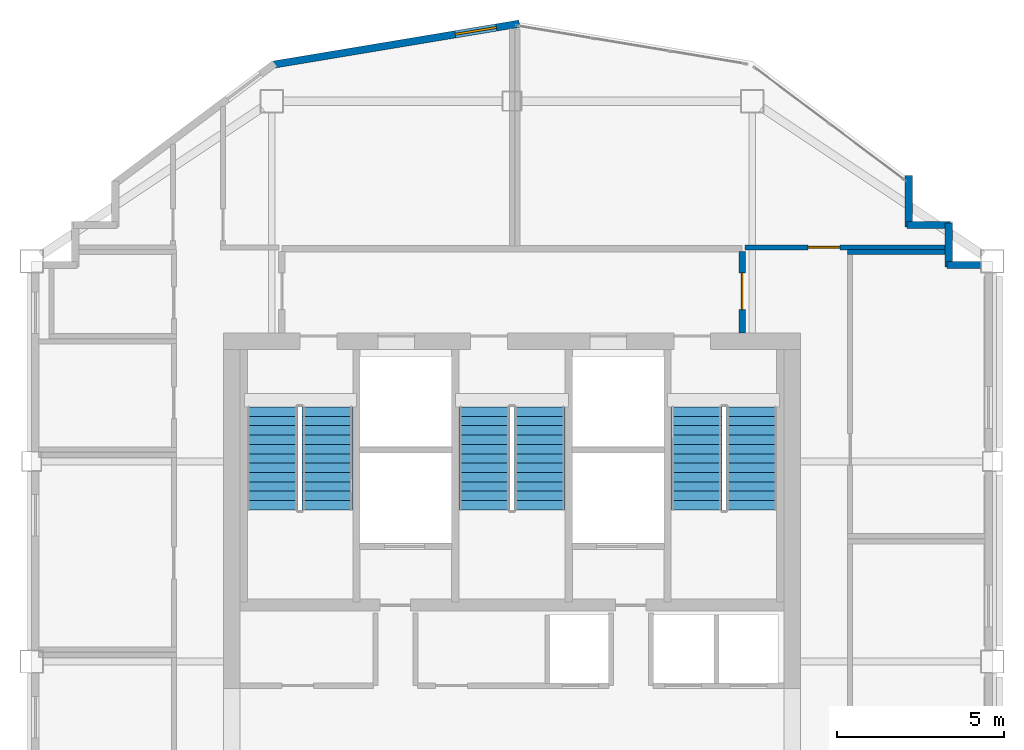
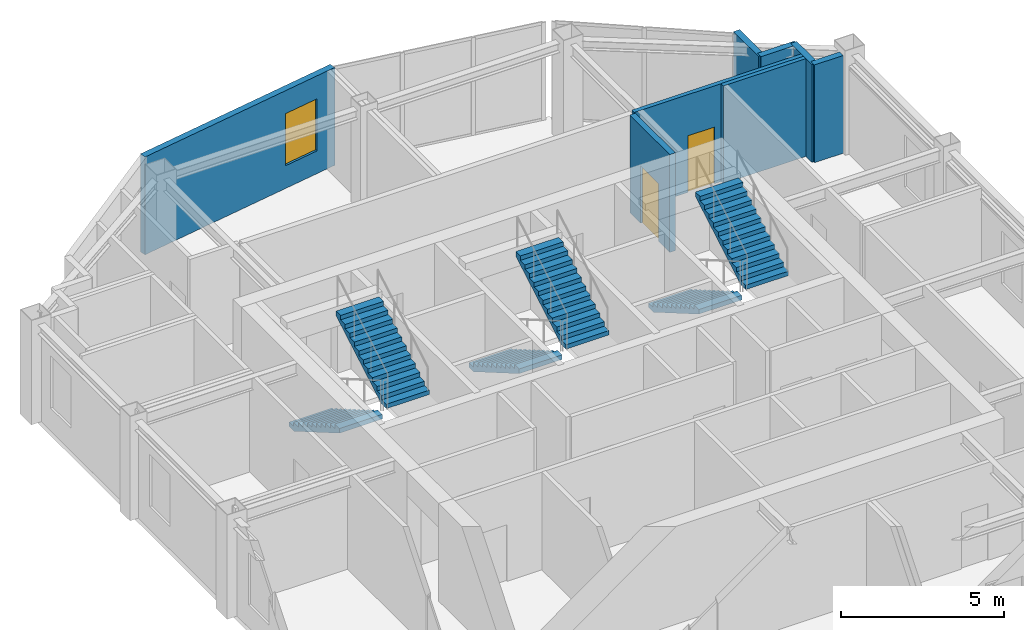
# One storey, part 7 of 8: 8 walls, 6 stair flights, 2 doors, 1 window, 3 openings, 3 elements without a shape of their own.
"""IFC4 building model written with IfcOpenShell, lengths in metres."""

import ifcopenshell
import ifcopenshell.guid

model = None  # the IFC model being written
_history = None  # IfcOwnerHistory: only IFC2X3 demands one
_inside = {}  # id of a spatial element -> (the spatial element, [elements in it])
_under = {}  # id of a project, library or spatial element -> (it, [spatial elements below it])
_declared = {}  # id of a project -> (the project, [libraries it declares])
_typed = {}  # id of a type object -> (the type object, [elements of that type])
_made_of = {}  # id of a material, layer set ... -> (it, [elements and type objects made of it])


def new_model(schema):
    """Start an empty IFC model of exactly this schema.

    Asked for "IFC4X3", IfcOpenShell would pick the latest addendum, in which some entities
    have other attributes; the version numbers below select the first issue.
    IFC2X3 requires an IfcOwnerHistory on every rooted entity: one is made here for all.
    """
    global model, _history
    if schema == "IFC4X3":
        model = ifcopenshell.file(schema_version=(4, 3, 0, 0))
    else:
        model = ifcopenshell.file(schema=schema)
    _inside.clear()
    _under.clear()
    _declared.clear()
    _typed.clear()
    _made_of.clear()
    _history = None
    if model.schema == "IFC2X3":
        org = make("IfcOrganization", Name="unknown")
        user = make(
            "IfcPersonAndOrganization",
            ThePerson=make("IfcPerson", FamilyName="unknown"),
            TheOrganization=org,
        )
        app = make(
            "IfcApplication",
            ApplicationDeveloper=org,
            Version="unknown",
            ApplicationFullName="unknown",
            ApplicationIdentifier="unknown",
        )
        _history = make(
            "IfcOwnerHistory",
            OwningUser=user,
            OwningApplication=app,
            ChangeAction="ADDED",
            CreationDate=0,
        )
    return model


def make(cls, **values):
    """One entity of the class cls with the attributes given. An attribute that is None is left unset."""
    return model.create_entity(
        cls, **{name: value for name, value in values.items() if value is not None}
    )


def rooted(cls, **values):
    """An entity with a GlobalId (a new one), such as an element, a storey or a relation."""
    return make(cls, GlobalId=ifcopenshell.guid.new(), OwnerHistory=_history, **values)


def si_unit(unit_type, name, prefix=None):
    """IfcSIUnit, for example si_unit("LENGTHUNIT", "METRE", prefix="MILLI")."""
    return make("IfcSIUnit", UnitType=unit_type, Prefix=prefix, Name=name)


def assignment(units):
    """IfcUnitAssignment: the units of a project."""
    return None if units is None else make("IfcUnitAssignment", Units=units)


def point(xyz):
    """IfcCartesianPoint."""
    return None if xyz is None else make("IfcCartesianPoint", Coordinates=xyz)


def direction(xyz):
    """IfcDirection."""
    return None if xyz is None else make("IfcDirection", DirectionRatios=xyz)


def frame(location, z_axis=None, x_axis=None):
    """IfcAxis2Placement3D, a coordinate frame: its origin and axes. An axis left out is left unset."""
    return make(
        "IfcAxis2Placement3D",
        Location=point(location),
        Axis=direction(z_axis),
        RefDirection=direction(x_axis),
    )


def frame_2d(location, x_axis=None):
    """IfcAxis2Placement2D, a coordinate frame in the plane: its origin and x axis."""
    return make(
        "IfcAxis2Placement2D", Location=point(location), RefDirection=direction(x_axis)
    )


def origin():
    """The frame at (0, 0, 0) with its axes left unset."""
    return frame((0.0, 0.0, 0.0))


def place(relative_to, where):
    """IfcLocalPlacement: puts the frame where relative to a parent placement (None: the world)."""
    return make(
        "IfcLocalPlacement", PlacementRelTo=relative_to, RelativePlacement=where
    )


def context(
    kind, dimensions, precision=None, world=None, true_north=None, identifier=None
):
    """IfcGeometricRepresentationContext, for example the 3D "Model" context."""
    return make(
        "IfcGeometricRepresentationContext",
        ContextIdentifier=identifier,
        ContextType=kind,
        CoordinateSpaceDimension=dimensions,
        Precision=precision,
        WorldCoordinateSystem=world,
        TrueNorth=true_north,
    )


def subcontext(parent, identifier, kind, view, scale=None):
    """IfcGeometricRepresentationSubContext, for example "Body" below "Model"."""
    return make(
        "IfcGeometricRepresentationSubContext",
        ContextIdentifier=identifier,
        ContextType=kind,
        ParentContext=parent,
        TargetScale=scale,
        TargetView=view,
    )


def project(units=None, contexts=None):
    """IfcProject with its units and contexts."""
    return rooted(
        "IfcProject",
        Name="project",
        RepresentationContexts=contexts,
        UnitsInContext=assignment(units),
    )


def spatial(cls, under=None, at=None, **own):
    """A site, building, storey or space (cls), placed at a placement, below another one or the project."""
    s = rooted(cls, ObjectPlacement=at, **own)
    if under is not None:
        _under.setdefault(under.id(), (under, []))[1].append(s)
    return s


def polyline(points):
    """IfcPolyline through the points."""
    return make("IfcPolyline", Points=[point(p) for p in points])


def profile(cls, at=None, kind="AREA", **sizes):
    """A parametric profile (cls). Its sizes go by their IFC names, for example OverallWidth=200.0."""
    return make(cls, ProfileType=kind, Position=at, **sizes)


def rectangle(**sizes):
    """IfcRectangleProfileDef."""
    return profile("IfcRectangleProfileDef", **sizes)


def outline(outer, holes=None, kind="AREA"):
    """IfcArbitraryClosedProfileDef: a profile drawn as a closed curve; with holes, ...WithVoids."""
    if holes is None:
        return make("IfcArbitraryClosedProfileDef", ProfileType=kind, OuterCurve=outer)
    return make(
        "IfcArbitraryProfileDefWithVoids",
        ProfileType=kind,
        OuterCurve=outer,
        InnerCurves=holes,
    )


def extrude(swept, where, along, depth):
    """IfcExtrudedAreaSolid: the profile swept, set in the frame where, extruded along a direction by depth."""
    return make(
        "IfcExtrudedAreaSolid",
        SweptArea=swept,
        Position=where,
        ExtrudedDirection=direction(along),
        Depth=depth,
    )


def shape(context_of_items, identifier, shape_type, items):
    """IfcShapeRepresentation: the items that make up one representation, for example the "Body"."""
    return make(
        "IfcShapeRepresentation",
        ContextOfItems=context_of_items,
        RepresentationIdentifier=identifier,
        RepresentationType=shape_type,
        Items=items,
    )


def material(Name=None, Category=None):
    """IfcMaterial."""
    return make("IfcMaterial", Name=Name, Category=Category)


def layer(
    of_material, thickness, ventilated=None, Name=None, Category=None, Priority=None
):
    """IfcMaterialLayer: one layer of a wall or slab, of a material (None: an air gap)."""
    return make(
        "IfcMaterialLayer",
        Material=of_material,
        LayerThickness=thickness,
        IsVentilated=ventilated,
        Name=Name,
        Category=Category,
        Priority=Priority,
    )


def layer_set(layers, Name=None):
    """IfcMaterialLayerSet."""
    return make("IfcMaterialLayerSet", MaterialLayers=layers, LayerSetName=Name)


def made_of(thing, what):
    """Note that an element or type object is made of a material, layer set ...; save() writes the relation."""
    if what is not None:
        _made_of.setdefault(what.id(), (what, []))[1].append(thing)
    return thing


def type_object(cls, material=None, **own):
    """A type object (cls), such as IfcWallType, which elements share."""
    return made_of(rooted(cls, **own), material)


def element(
    cls,
    number,
    at=None,
    inside=None,
    cuts=None,
    type_object=None,
    material=None,
    context=None,
    identifier="Body",
    shape_type=None,
    held_by="IfcProductDefinitionShape",
    body=None,
    shapes=None,
    **own,
):
    """One element of the class cls, such as IfcWall. Its Tag is "e" and its number.

    at: its placement. inside: the storey or other place that contains it. cuts: it is an
    opening in that element (IfcRelVoidsElement). A single representation is given by context,
    identifier, shape_type and body (its items); several are given by shapes. held_by: the class
    of the entity that holds the representations. save() writes the other relations.
    """
    e = rooted(cls, Tag="e%d" % number, ObjectPlacement=at, **own)
    if body is not None:
        shapes = [shape(context, identifier, shape_type, body)]
    if shapes is not None:
        e.Representation = make(held_by, Representations=shapes)
    if inside is not None:
        _inside.setdefault(inside.id(), (inside, []))[1].append(e)
    if cuts is not None:
        rooted(
            "IfcRelVoidsElement", RelatingBuildingElement=cuts, RelatedOpeningElement=e
        )
    if type_object is not None:
        _typed.setdefault(type_object.id(), (type_object, []))[1].append(e)
    return made_of(e, material)


def fill(opening, filler):
    """IfcRelFillsElement: the door or window that sits in an opening."""
    return rooted(
        "IfcRelFillsElement",
        RelatingOpeningElement=opening,
        RelatedBuildingElement=filler,
    )


def aggregate(whole, parts):
    """IfcRelAggregates: a whole, such as a stair, and the parts it consists of."""
    return rooted("IfcRelAggregates", RelatingObject=whole, RelatedObjects=parts)


def save(model, path):
    """Write the relations noted so far, then the file.

    IfcRelAggregates (storeys below a building ...), IfcRelContainedInSpatialStructure (elements
    in a storey), IfcRelDefinesByType, IfcRelAssociatesMaterial and IfcRelDeclares: one each for
    every whole, place, type object, material and project.
    """
    for whole, parts in _under.values():
        aggregate(whole, parts)
    for where, things in _inside.values():
        rooted(
            "IfcRelContainedInSpatialStructure",
            RelatedElements=things,
            RelatingStructure=where,
        )
    for kind, things in _typed.values():
        rooted("IfcRelDefinesByType", RelatedObjects=things, RelatingType=kind)
    for what, things in _made_of.values():
        rooted("IfcRelAssociatesMaterial", RelatedObjects=things, RelatingMaterial=what)
    for by, libraries in _declared.values():
        rooted("IfcRelDeclares", RelatingContext=by, RelatedDefinitions=libraries)
    model.write(path)


model = new_model("IFC4")

# Units and contexts
model_context = context("Model", 3, precision=1e-05, world=origin(), true_north=direction((0.0, 1.0)))
body_context = subcontext(model_context, "Body", "Model", "MODEL_VIEW")
ifc_project = project(units=[si_unit("LENGTHUNIT", "METRE"), si_unit("AREAUNIT", "SQUARE_METRE"), si_unit("VOLUMEUNIT", "CUBIC_METRE"), si_unit("PLANEANGLEUNIT", "RADIAN"), si_unit("MASSUNIT", "GRAM", prefix="KILO")], contexts=[model_context])

# Site, building, storey
site_placement = place(None, origin())
site = spatial("IfcSite", under=ifc_project, at=site_placement, CompositionType="ELEMENT")
building_placement = place(site_placement, origin())
building = spatial("IfcBuilding", under=site, at=building_placement, Name="Haolan Belvedere Tower", CompositionType="ELEMENT")
storey_placement = place(building_placement, frame((0.0, 0.0, 309.5)))
storey = spatial("IfcBuildingStorey", under=building, at=storey_placement, Name="L78", CompositionType="ELEMENT", Elevation=309.5)

# Walls
ifc_material_1 = material(Name="Precast concrete C40/50", Category="concrete")
ifc_layer_1 = layer(ifc_material_1, 0.219970703125, Name="Precast concrete C40/50")
ifc_layer_set_1 = layer_set([ifc_layer_1], Name="Precast concrete C40/50")
wall_type_1 = type_object("IfcWallType", Name="WL-EXT-220", PredefinedType="SOLIDWALL", material=ifc_layer_set_1)
wall_1_placement = place(storey_placement, frame((52.4580078125, 45.489990234375, 0.0), z_axis=(0.0, 0.0, 1.0), x_axis=(-1.0, 0.0, 0.0)))
element("IfcWall", 1, at=wall_1_placement, inside=storey, type_object=wall_type_1, Name="L78 pale-metal exterior spandrel wall 4.1", PredefinedType="SOLIDWALL", context=body_context, shape_type="SweptSolid", body=[
    extrude(rectangle(XDim=1.02294921875, YDim=0.219970703125, at=frame_2d((0.511474609375, 0.0))), origin(), (0.0, 0.0, 1.0), 3.659912109375),
])
wall_2_placement = place(storey_placement, frame((51.489990234375, 45.43505859375, 0.0), z_axis=(0.0, 0.0, 1.0), x_axis=(0.0, 1.0, 0.0)))
element("IfcWall", 2, at=wall_2_placement, inside=storey, type_object=wall_type_1, Name="L78 pale-metal exterior spandrel wall 5.1", PredefinedType="SOLIDWALL", context=body_context, shape_type="SweptSolid", body=[
    extrude(rectangle(XDim=1.31005859375, YDim=0.219970703125, at=frame_2d((0.655029296875, 0.0))), origin(), (0.0, 0.0, 1.0), 3.659912109375),
])
wall_3_placement = place(storey_placement, frame((51.544921875, 46.68994140625, 0.0), z_axis=(0.0, 0.0, 1.0), x_axis=(-1.0, 0.0, 0.0)))
element("IfcWall", 3, at=wall_3_placement, inside=storey, type_object=wall_type_1, Name="L78 pale-metal exterior spandrel wall 6.1", PredefinedType="SOLIDWALL", context=body_context, shape_type="SweptSolid", body=[
    extrude(rectangle(XDim=1.309814453125, YDim=0.219970703125, at=frame_2d((0.65478515625, 0.0))), origin(), (0.0, 0.0, 1.0), 3.659912109375),
])
wall_4_placement = place(storey_placement, frame((50.2900390625, 46.635009765625, 0.0), z_axis=(0.0, 0.0, 1.0), x_axis=(0.0, 1.0, 0.0)))
element("IfcWall", 4, at=wall_4_placement, inside=storey, type_object=wall_type_1, Name="L78 pale-metal exterior spandrel wall 7.1", PredefinedType="SOLIDWALL", context=body_context, shape_type="SweptSolid", body=[
    extrude(rectangle(XDim=1.534912109375, YDim=0.219970703125, at=frame_2d((0.767578125, 0.0))), origin(), (0.0, 0.0, 1.0), 3.659912109375),
])

# Wall, opening, window
wall_5_placement = place(storey_placement, frame((38.621826171875, 52.7255859375, 0.0), z_axis=(0.0, 0.0, 1.0), x_axis=(-0.986390420428, -0.164420006349, 0.0)))
wall_5 = element("IfcWall", 5, at=wall_5_placement, inside=storey, type_object=wall_type_1, Name="L78 pale-metal exterior spandrel wall 10.1", PredefinedType="SOLIDWALL", context=body_context, shape_type="SweptSolid", body=[
    extrude(rectangle(XDim=7.5341796875, YDim=0.219970703125, at=frame_2d((3.76708984375, 0.0))), origin(), (0.0, 0.0, 1.0), 3.659912109375),
])
opening_1_placement = place(wall_5_placement, frame((0.699951171875, 0.0, 0.85009765625)))
opening_1 = element("IfcOpeningElement", 6, at=opening_1_placement, cuts=wall_5, Name="Opening W-04", PredefinedType="OPENING", context=body_context, shape_type="SweptSolid", body=[
    extrude(rectangle(XDim=1.25, YDim=1.949951171875, at=frame_2d((0.625, 0.97509765625))), frame((0.0, 0.119873046875, 0.0), z_axis=(0.0, -1.0, 0.0), x_axis=(1.0, 0.0, 0.0)), (0.0, 0.0, 1.0), 0.239990234375),
])
ifc_material_2 = material(Name="Anodised aluminium 6063-T6 and Low-E glass", Category="aluminium")
window_type = type_object("IfcWindowType", Name="WN-DECO-Z4", PartitioningType="SINGLE_PANEL", PredefinedType="WINDOW", material=ifc_material_2)
window_placement = place(opening_1_placement, origin())
window = element("IfcWindow", 7, at=window_placement, inside=storey, type_object=window_type, Name="L78 Art Deco chevron window 1", OverallHeight=1.949951171875, OverallWidth=1.25, PartitioningType="SINGLE_PANEL", PredefinedType="WINDOW", context=body_context, shape_type="SweptSolid", body=[
    extrude(rectangle(XDim=1.25, YDim=1.949951171875, at=frame_2d((0.625, 0.97509765625))), frame((0.0, 0.030029296875, 0.0), z_axis=(0.0, -1.0, 0.0), x_axis=(1.0, 0.0, 0.0)), (0.0, 0.0, 1.0), 0.06005859375),
])
fill(opening_1, window)

# Wall, opening, door
ifc_material_3 = material(Name="Concrete C40/50", Category="concrete")
ifc_layer_2 = layer(ifc_material_3, 0.199951171875, Name="Concrete C40/50")
ifc_layer_set_2 = layer_set([ifc_layer_2], Name="Concrete C40/50")
wall_type_2 = type_object("IfcWallType", Name="WL-FIRE-200", PredefinedType="SOLIDWALL", material=ifc_layer_set_2)
wall_6_placement = place(storey_placement, frame((45.300048828125, 43.449951171875, 0.0), z_axis=(0.0, 0.0, 1.0), x_axis=(0.0, 1.0, 0.0)))
wall_6 = element("IfcWall", 8, at=wall_6_placement, inside=storey, type_object=wall_type_2, Name="L78 interior partition IW-L78-FFL-E", PredefinedType="SOLIDWALL", context=body_context, shape_type="SweptSolid", body=[
    extrude(rectangle(XDim=2.445068359375, YDim=0.199951171875, at=frame_2d((1.22265625, 0.0))), origin(), (0.0, 0.0, 1.0), 3.659912109375),
])
opening_2_placement = place(wall_6_placement, frame((0.699951171875, 0.0, 0.0)))
opening_2 = element("IfcOpeningElement", 9, at=opening_2_placement, cuts=wall_6, Name="Opening FD-03", PredefinedType="OPENING", context=body_context, shape_type="SweptSolid", body=[
    extrude(rectangle(XDim=1.10009765625, YDim=2.14990234375, at=frame_2d((0.550048828125, 1.074951171875))), frame((0.0, 0.10986328125, 0.0), z_axis=(0.0, -1.0, 0.0), x_axis=(1.0, 0.0, 0.0)), (0.0, 0.0, 1.0), 0.219970703125),
])
ifc_material_4 = material(Name="Galvanised fire-rated steel", Category="steel")
door_type_1 = type_object("IfcDoorType", Name="DR-FD90-1100", OperationType="NOTDEFINED", PredefinedType="DOOR", material=ifc_material_4)
door_1_placement = place(opening_2_placement, origin())
door_1 = element("IfcDoor", 10, at=door_1_placement, inside=storey, type_object=door_type_1, Name="L78 door ID-L78-FFL-DE", OperationType="SINGLE_SWING_RIGHT", OverallHeight=2.14990234375, OverallWidth=1.10009765625, PredefinedType="DOOR", context=body_context, shape_type="SweptSolid", body=[
    extrude(rectangle(XDim=1.10009765625, YDim=2.14990234375, at=frame_2d((0.550048828125, 1.074951171875))), frame((0.0, 0.02490234375, 0.0), z_axis=(0.0, -1.0, 0.0), x_axis=(1.0, 0.0, 0.0)), (0.0, 0.0, 1.0), 0.050048828125),
])
fill(opening_2, door_1)

# Wall
ifc_material_5 = material(Name="Double gypsum acoustic stud partition", Category="masonry")
ifc_layer_3 = layer(ifc_material_5, 0.14990234375, Name="Double gypsum acoustic stud partition")
ifc_layer_set_3 = layer_set([ifc_layer_3], Name="Double gypsum acoustic stud partition")
wall_type_3 = type_object("IfcWallType", Name="WL-PART-150", PredefinedType="PARTITIONING", material=ifc_layer_set_3)
wall_7_placement = place(storey_placement, frame((48.4599609375, 45.8798828125, 0.0), z_axis=(0.0, 0.0, 1.0), x_axis=(1.0, 0.0, 0.0)))
element("IfcWall", 11, at=wall_7_placement, inside=storey, type_object=wall_type_3, Name="L78 interior partition IW-L78-PH-SPAE-N", PredefinedType="PARTITIONING", context=body_context, shape_type="SweptSolid", body=[
    extrude(rectangle(XDim=2.927978515625, YDim=0.14990234375, at=frame_2d((1.4638671875, 0.0))), origin(), (0.0, 0.0, 1.0), 3.659912109375),
])

# Wall, opening, door
wall_8_placement = place(storey_placement, frame((45.385009765625, 46.02001953125, 0.0), z_axis=(0.0, 0.0, 1.0), x_axis=(1.0, 0.0, 0.0)))
wall_8 = element("IfcWall", 12, at=wall_8_placement, inside=storey, type_object=wall_type_3, Name="L78 interior partition IW-L78-PH-MUS-S", PredefinedType="PARTITIONING", context=body_context, shape_type="SweptSolid", body=[
    extrude(rectangle(XDim=6.0029296875, YDim=0.14990234375, at=frame_2d((3.00146484375, 0.0))), origin(), (0.0, 0.0, 1.0), 3.659912109375),
])
opening_3_placement = place(wall_8_placement, frame((1.89501953125, 0.0, 0.0)))
opening_3 = element("IfcOpeningElement", 13, at=opening_3_placement, cuts=wall_8, Name="Opening ID-03", PredefinedType="OPENING", context=body_context, shape_type="SweptSolid", body=[
    extrude(rectangle(XDim=0.949951171875, YDim=2.1201171875, at=frame_2d((0.47509765625, 1.06005859375))), frame((0.0, 0.0849609375, 0.0), z_axis=(0.0, -1.0, 0.0), x_axis=(1.0, 0.0, 0.0)), (0.0, 0.0, 1.0), 0.169921875),
])
ifc_material_6 = material(Name="Painted solid-core timber", Category="wood")
door_type_2 = type_object("IfcDoorType", Name="DR-INT-950", OperationType="NOTDEFINED", PredefinedType="DOOR", material=ifc_material_6)
door_2_placement = place(opening_3_placement, origin())
door_2 = element("IfcDoor", 14, at=door_2_placement, inside=storey, type_object=door_type_2, Name="L78 door ID-L78-PH-MUS", OperationType="SINGLE_SWING_RIGHT", OverallHeight=2.1201171875, OverallWidth=0.949951171875, PredefinedType="DOOR", context=body_context, shape_type="SweptSolid", body=[
    extrude(rectangle(XDim=0.949951171875, YDim=2.1201171875, at=frame_2d((0.47509765625, 1.06005859375))), frame((0.0, 0.02490234375, 0.0), z_axis=(0.0, -1.0, 0.0), x_axis=(1.0, 0.0, 0.0)), (0.0, 0.0, 1.0), 0.050048828125),
])
fill(opening_3, door_2)

# Stair, stair flights
stair_type = type_object("IfcStairType", Name="STR-DL-24R-162", PredefinedType="HALF_TURN_STAIR", material=ifc_material_3)
stair_1_placement = place(storey_placement, origin())
stair_1 = element("IfcStair", 15, at=stair_1_placement, inside=storey, type_object=stair_type, Name="L78 Smokeproof Core Exit Stair ST1", PredefinedType="HALF_TURN_STAIR")
stair_flight_type = type_object("IfcStairFlightType", Name="SFL-DL-12R-162", PredefinedType="STRAIGHT", material=ifc_material_3)
stair_flight_1_placement = place(storey_placement, frame((31.2099609375, 41.22998046875, 0.0), z_axis=(0.0, 0.0, 1.0), x_axis=(0.0, -1.0, 0.0)))
stair_flight_1 = element("IfcStairFlight", 16, at=stair_flight_1_placement, type_object=stair_flight_type, Name="ST1 flight 1", NumberOfRisers=12, NumberOfTreads=11, PredefinedType="STRAIGHT", RiserHeight=0.1625, TreadLength=0.28, context=body_context, shape_type="SweptSolid", body=[
    extrude(outline(polyline([(0.0, 0.0), (0.0, 0.16259765625), (0.280029296875, 0.16259765625), (0.280029296875, 0.324951171875), (0.56005859375, 0.324951171875), (0.56005859375, 0.487548828125), (0.840087890625, 0.487548828125), (0.840087890625, 0.64990234375), (1.1201171875, 0.64990234375), (1.1201171875, 0.8125), (1.39990234375, 0.8125), (1.39990234375, 0.97509765625), (1.679931640625, 0.97509765625), (1.679931640625, 1.137451171875), (1.9599609375, 1.137451171875), (1.9599609375, 1.300048828125), (2.239990234375, 1.300048828125), (2.239990234375, 1.46240234375), (2.52001953125, 1.46240234375), (2.52001953125, 1.625), (2.800048828125, 1.625), (2.800048828125, 1.78759765625), (3.080078125, 1.78759765625), (3.080078125, 1.949951171875), (3.080078125, 1.6142578125), (0.298583984375, 0.0), (0.0, 0.0)])), frame((0.0, 0.760009765625, 0.0), z_axis=(0.0, -1.0, 0.0), x_axis=(1.0, 0.0, 0.0)), (0.0, 0.0, 1.0), 1.52001953125),
])
stair_flight_2_placement = place(storey_placement, frame((32.8701171875, 38.14990234375, 1.949951171875), z_axis=(0.0, 0.0, 1.0), x_axis=(0.0, 1.0, 0.0)))
stair_flight_2 = element("IfcStairFlight", 17, at=stair_flight_2_placement, type_object=stair_flight_type, Name="ST1 flight 2", NumberOfRisers=12, NumberOfTreads=11, PredefinedType="STRAIGHT", RiserHeight=0.1625, TreadLength=0.28, context=body_context, shape_type="SweptSolid", body=[
    extrude(outline(polyline([(0.0, 0.0), (0.0, 0.16259765625), (0.280029296875, 0.16259765625), (0.280029296875, 0.324951171875), (0.56005859375, 0.324951171875), (0.56005859375, 0.487548828125), (0.840087890625, 0.487548828125), (0.840087890625, 0.64990234375), (1.1201171875, 0.64990234375), (1.1201171875, 0.8125), (1.39990234375, 0.8125), (1.39990234375, 0.97509765625), (1.679931640625, 0.97509765625), (1.679931640625, 1.137451171875), (1.9599609375, 1.137451171875), (1.9599609375, 1.300048828125), (2.239990234375, 1.300048828125), (2.239990234375, 1.46240234375), (2.52001953125, 1.46240234375), (2.52001953125, 1.625), (2.800048828125, 1.625), (2.800048828125, 1.78759765625), (3.080078125, 1.78759765625), (3.080078125, 1.949951171875), (3.080078125, 1.6142578125), (0.298583984375, 0.0), (0.0, 0.0)])), frame((0.0, 0.760009765625, 0.0), z_axis=(0.0, -1.0, 0.0), x_axis=(1.0, 0.0, 0.0)), (0.0, 0.0, 1.0), 1.52001953125),
])
aggregate(stair_1, [stair_flight_1, stair_flight_2])

stair_2_placement = place(storey_placement, origin())
stair_2 = element("IfcStair", 18, at=stair_2_placement, inside=storey, type_object=stair_type, Name="L78 Smokeproof Core Exit Stair ST3", PredefinedType="HALF_TURN_STAIR")
stair_flight_3_placement = place(storey_placement, frame((37.570068359375, 41.22998046875, 0.0), z_axis=(0.0, 0.0, 1.0), x_axis=(0.0, -1.0, 0.0)))
stair_flight_3 = element("IfcStairFlight", 19, at=stair_flight_3_placement, type_object=stair_flight_type, Name="ST3 flight 1", NumberOfRisers=12, NumberOfTreads=11, PredefinedType="STRAIGHT", RiserHeight=0.1625, TreadLength=0.28, context=body_context, shape_type="SweptSolid", body=[
    extrude(outline(polyline([(0.0, 0.0), (0.0, 0.16259765625), (0.280029296875, 0.16259765625), (0.280029296875, 0.324951171875), (0.56005859375, 0.324951171875), (0.56005859375, 0.487548828125), (0.840087890625, 0.487548828125), (0.840087890625, 0.64990234375), (1.1201171875, 0.64990234375), (1.1201171875, 0.8125), (1.39990234375, 0.8125), (1.39990234375, 0.97509765625), (1.679931640625, 0.97509765625), (1.679931640625, 1.137451171875), (1.9599609375, 1.137451171875), (1.9599609375, 1.300048828125), (2.239990234375, 1.300048828125), (2.239990234375, 1.46240234375), (2.52001953125, 1.46240234375), (2.52001953125, 1.625), (2.800048828125, 1.625), (2.800048828125, 1.78759765625), (3.080078125, 1.78759765625), (3.080078125, 1.949951171875), (3.080078125, 1.6142578125), (0.298583984375, 0.0), (0.0, 0.0)])), frame((0.0, 0.760009765625, 0.0), z_axis=(0.0, -1.0, 0.0), x_axis=(1.0, 0.0, 0.0)), (0.0, 0.0, 1.0), 1.52001953125),
])
stair_flight_4_placement = place(storey_placement, frame((39.22998046875, 38.14990234375, 1.949951171875), z_axis=(0.0, 0.0, 1.0), x_axis=(0.0, 1.0, 0.0)))
stair_flight_4 = element("IfcStairFlight", 20, at=stair_flight_4_placement, type_object=stair_flight_type, Name="ST3 flight 2", NumberOfRisers=12, NumberOfTreads=11, PredefinedType="STRAIGHT", RiserHeight=0.1625, TreadLength=0.28, context=body_context, shape_type="SweptSolid", body=[
    extrude(outline(polyline([(0.0, 0.0), (0.0, 0.16259765625), (0.280029296875, 0.16259765625), (0.280029296875, 0.324951171875), (0.56005859375, 0.324951171875), (0.56005859375, 0.487548828125), (0.840087890625, 0.487548828125), (0.840087890625, 0.64990234375), (1.1201171875, 0.64990234375), (1.1201171875, 0.8125), (1.39990234375, 0.8125), (1.39990234375, 0.97509765625), (1.679931640625, 0.97509765625), (1.679931640625, 1.137451171875), (1.9599609375, 1.137451171875), (1.9599609375, 1.300048828125), (2.239990234375, 1.300048828125), (2.239990234375, 1.46240234375), (2.52001953125, 1.46240234375), (2.52001953125, 1.625), (2.800048828125, 1.625), (2.800048828125, 1.78759765625), (3.080078125, 1.78759765625), (3.080078125, 1.949951171875), (3.080078125, 1.6142578125), (0.298583984375, 0.0), (0.0, 0.0)])), frame((0.0, 0.760009765625, 0.0), z_axis=(0.0, -1.0, 0.0), x_axis=(1.0, 0.0, 0.0)), (0.0, 0.0, 1.0), 1.52001953125),
])
aggregate(stair_2, [stair_flight_3, stair_flight_4])

stair_3_placement = place(storey_placement, origin())
stair_3 = element("IfcStair", 21, at=stair_3_placement, inside=storey, type_object=stair_type, Name="L78 Smokeproof Core Exit Stair ST2", PredefinedType="HALF_TURN_STAIR")
stair_flight_5_placement = place(storey_placement, frame((43.929931640625, 41.22998046875, 0.0), z_axis=(0.0, 0.0, 1.0), x_axis=(0.0, -1.0, 0.0)))
stair_flight_5 = element("IfcStairFlight", 22, at=stair_flight_5_placement, type_object=stair_flight_type, Name="ST2 flight 1", NumberOfRisers=12, NumberOfTreads=11, PredefinedType="STRAIGHT", RiserHeight=0.1625, TreadLength=0.28, context=body_context, shape_type="SweptSolid", body=[
    extrude(outline(polyline([(0.0, 0.0), (0.0, 0.16259765625), (0.280029296875, 0.16259765625), (0.280029296875, 0.324951171875), (0.56005859375, 0.324951171875), (0.56005859375, 0.487548828125), (0.840087890625, 0.487548828125), (0.840087890625, 0.64990234375), (1.1201171875, 0.64990234375), (1.1201171875, 0.8125), (1.39990234375, 0.8125), (1.39990234375, 0.97509765625), (1.679931640625, 0.97509765625), (1.679931640625, 1.137451171875), (1.9599609375, 1.137451171875), (1.9599609375, 1.300048828125), (2.239990234375, 1.300048828125), (2.239990234375, 1.46240234375), (2.52001953125, 1.46240234375), (2.52001953125, 1.625), (2.800048828125, 1.625), (2.800048828125, 1.78759765625), (3.080078125, 1.78759765625), (3.080078125, 1.949951171875), (3.080078125, 1.6142578125), (0.298583984375, 0.0), (0.0, 0.0)])), frame((0.0, 0.760009765625, 0.0), z_axis=(0.0, -1.0, 0.0), x_axis=(1.0, 0.0, 0.0)), (0.0, 0.0, 1.0), 1.52001953125),
])
stair_flight_6_placement = place(storey_placement, frame((45.590087890625, 38.14990234375, 1.949951171875), z_axis=(0.0, 0.0, 1.0), x_axis=(0.0, 1.0, 0.0)))
stair_flight_6 = element("IfcStairFlight", 23, at=stair_flight_6_placement, type_object=stair_flight_type, Name="ST2 flight 2", NumberOfRisers=12, NumberOfTreads=11, PredefinedType="STRAIGHT", RiserHeight=0.1625, TreadLength=0.28, context=body_context, shape_type="SweptSolid", body=[
    extrude(outline(polyline([(0.0, 0.0), (0.0, 0.16259765625), (0.280029296875, 0.16259765625), (0.280029296875, 0.324951171875), (0.56005859375, 0.324951171875), (0.56005859375, 0.487548828125), (0.840087890625, 0.487548828125), (0.840087890625, 0.64990234375), (1.1201171875, 0.64990234375), (1.1201171875, 0.8125), (1.39990234375, 0.8125), (1.39990234375, 0.97509765625), (1.679931640625, 0.97509765625), (1.679931640625, 1.137451171875), (1.9599609375, 1.137451171875), (1.9599609375, 1.300048828125), (2.239990234375, 1.300048828125), (2.239990234375, 1.46240234375), (2.52001953125, 1.46240234375), (2.52001953125, 1.625), (2.800048828125, 1.625), (2.800048828125, 1.78759765625), (3.080078125, 1.78759765625), (3.080078125, 1.949951171875), (3.080078125, 1.6142578125), (0.298583984375, 0.0), (0.0, 0.0)])), frame((0.0, 0.760009765625, 0.0), z_axis=(0.0, -1.0, 0.0), x_axis=(1.0, 0.0, 0.0)), (0.0, 0.0, 1.0), 1.52001953125),
])
aggregate(stair_3, [stair_flight_5, stair_flight_6])

save(model, "model.ifc")
